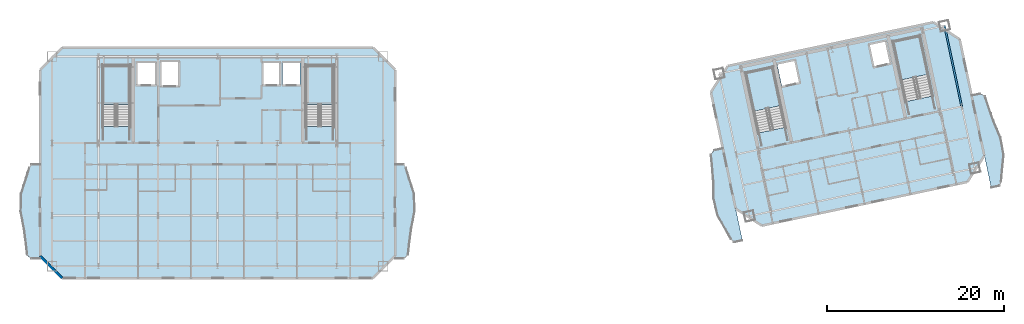
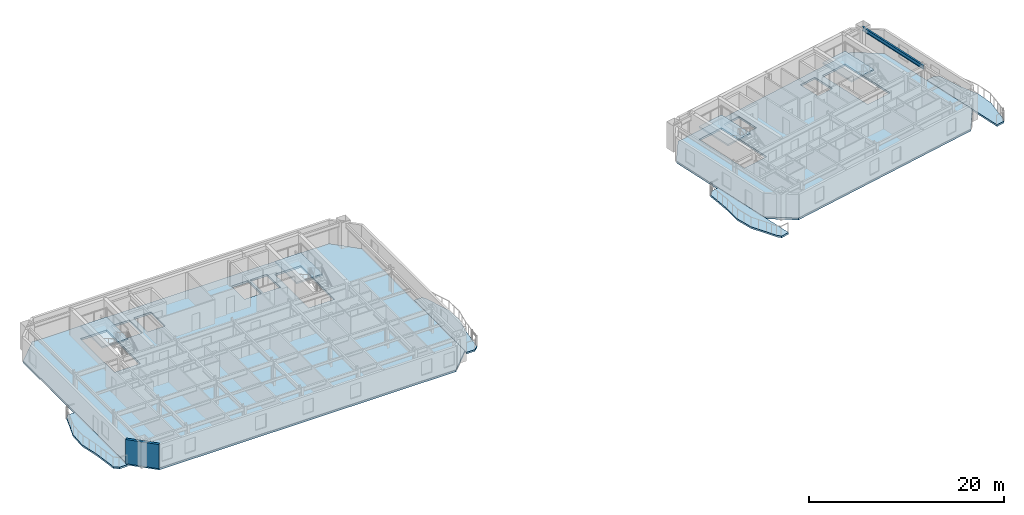
# One storey, part 4 of 13: 10 slabs, 1 beam, 1 wall, 4 elements without a shape of their own.
"""IFC4 building model written with IfcOpenShell, lengths in metres."""

from ifc_helpers import new_model, si_unit, direction, frame, frame_2d, origin, origin_2d, place, context, subcontext, project, spatial, polyline, rectangle, i_section, outline, extrude, material, layer, layer_set, material_profile, profile_set, type_object, element, aggregate, save


model = new_model("IFC4")

# Units and contexts
model_context = context("Model", 3, precision=1e-05, world=origin(), true_north=direction((0.0, 1.0)))
body_context = subcontext(model_context, "Body", "Model", "MODEL_VIEW")
ifc_project = project(units=[si_unit("LENGTHUNIT", "METRE"), si_unit("AREAUNIT", "SQUARE_METRE"), si_unit("VOLUMEUNIT", "CUBIC_METRE"), si_unit("PLANEANGLEUNIT", "RADIAN"), si_unit("MASSUNIT", "GRAM", prefix="KILO")], contexts=[model_context])

# Site, building, storey
site_placement = place(None, origin())
site = spatial("IfcSite", under=ifc_project, at=site_placement, CompositionType="ELEMENT")
building_placement = place(site_placement, origin())
building = spatial("IfcBuilding", under=site, at=building_placement, Name="Haevon Station Towers", CompositionType="ELEMENT")
storey_placement = place(building_placement, frame((0.0, 0.0, 222.0)))
storey = spatial("IfcBuildingStorey", under=building, at=storey_placement, Name="L61", CompositionType="ELEMENT", Elevation=222.0)

# Beam
ifc_material_1 = material(Name="Steel S355", Category="steel")
ifc_material_profile = material_profile(ifc_material_1, i_section(OverallWidth=0.199951171875, OverallDepth=0.5, WebThickness=0.010009765625, FlangeThickness=0.01611328125, at=origin_2d()), Name="H-500x200x10x16")
ifc_profile_set = profile_set([ifc_material_profile], Name="Steel S355")
beam_type = type_object("IfcBeamType", Name="BM-SP500", PredefinedType="SPANDREL", material=ifc_profile_set)
beam_placement = place(storey_placement, frame((121.787841796875, 42.338623046875, 2.800048828125), z_axis=(-0.207922149488, 0.978145377616, 0.0), x_axis=(-0.978145377616, -0.207922149488, 0.0)))
element("IfcBeam", 1, at=beam_placement, inside=storey, type_object=beam_type, Name="BM-T2V-L61-05-02", PredefinedType="SPANDREL", context=body_context, shape_type="SweptSolid", body=[
    extrude(i_section(OverallWidth=0.199951171875, OverallDepth=0.5, WebThickness=0.010009765625, FlangeThickness=0.01611328125, at=origin_2d()), origin(), (0.0, 0.0, 1.0), 9.35009765625),
])

# Slabs
ifc_material_2 = material(Name="Concrete C40/50", Category="concrete")
ifc_layer_1 = layer(ifc_material_2, 0.219970703125)
ifc_layer_set_1 = layer_set([ifc_layer_1], Name="Concrete C40/50")
slab_type_1 = type_object("IfcSlabType", Name="SL-BALC220", PredefinedType="FLOOR", material=ifc_layer_set_1)
slab_1_placement = place(storey_placement, frame((0.0, 0.0, -0.219970703125)))
element("IfcSlab", 2, at=slab_1_placement, inside=storey, type_object=slab_type_1, Name="Tower 1 L61 West SCALLOPED BALCONY", PredefinedType="FLOOR", context=body_context, shape_type="SweptSolid", body=[
    extrude(outline(polyline([(17.39501953125, 35.85009765625), (16.437744140625, 35.85009765625), (16.162109375, 35.43896484375), (15.80078125, 34.268310546875), (15.21630859375, 32.5166015625), (15.115478515625, 30.449951171875), (15.559326171875, 28.383544921875), (15.80078125, 26.631591796875), (15.931640625, 25.4609375), (16.437744140625, 25.050048828125), (17.39501953125, 25.050048828125), (17.39501953125, 35.85009765625)])), origin(), (0.0, 0.0, 1.0), 0.219970703125),
])
slab_2_placement = place(storey_placement, frame((0.0, 0.0, -0.219970703125)))
element("IfcSlab", 3, at=slab_2_placement, inside=storey, type_object=slab_type_1, Name="Tower 1 L61 East SCALLOPED BALCONY", PredefinedType="FLOOR", context=body_context, shape_type="SweptSolid", body=[
    extrude(outline(polyline([(57.60498046875, 25.050048828125), (58.562255859375, 25.050048828125), (59.068359375, 25.4609375), (59.19921875, 26.631591796875), (59.440673828125, 28.383544921875), (59.884521484375, 30.449951171875), (59.78369140625, 32.5166015625), (59.19921875, 34.268310546875), (58.837890625, 35.43896484375), (58.562255859375, 35.85009765625), (57.60498046875, 35.85009765625), (57.60498046875, 25.050048828125)])), origin(), (0.0, 0.0, 1.0), 0.219970703125),
])
slab_3_placement = place(storey_placement, frame((0.0, 0.0, -0.219970703125)))
element("IfcSlab", 4, at=slab_3_placement, inside=storey, type_object=slab_type_1, Name="Tower 2 L61 West SCALLOPED BALCONY", PredefinedType="FLOOR", context=body_context, shape_type="SweptSolid", body=[
    extrude(outline(polyline([(94.71337890625, 37.662353515625), (93.77685546875, 37.46337890625), (93.367431640625, 36.9560546875), (93.482666015625, 35.783935546875), (93.61083984375, 34.02001953125), (93.6064453125, 31.906494140625), (94.134521484375, 29.90625), (95.070556640625, 28.31396484375), (95.667236328125, 27.244140625), (96.0224609375, 26.8994140625), (96.958740234375, 27.098388671875), (94.71337890625, 37.662353515625)])), origin(), (0.0, 0.0, 1.0), 0.219970703125),
])
slab_4_placement = place(storey_placement, frame((0.0, 0.0, -0.219970703125)))
element("IfcSlab", 5, at=slab_4_placement, inside=storey, type_object=slab_type_1, Name="Tower 2 L61 East SCALLOPED BALCONY", PredefinedType="FLOOR", context=body_context, shape_type="SweptSolid", body=[
    extrude(outline(polyline([(125.13916015625, 33.08837890625), (126.07568359375, 33.287353515625), (126.259765625, 33.746826171875), (126.369873046875, 34.967041015625), (126.577392578125, 36.802001953125), (126.24609375, 38.84423828125), (125.382568359375, 40.7734375), (124.781982421875, 42.436767578125), (124.41064453125, 43.554443359375), (123.830322265625, 43.8515625), (122.893798828125, 43.65234375), (125.13916015625, 33.08837890625)])), origin(), (0.0, 0.0, 1.0), 0.219970703125),
])

# Stair, slab
stair_type = type_object("IfcStairType", Name="STR-DL1450", PredefinedType="USERDEFINED", material=ifc_material_2)
stair_1_placement = place(storey_placement, origin())
stair_1 = element("IfcStair", 6, at=stair_1_placement, inside=storey, type_object=stair_type, Name="L61 Escape Stair ST1", ObjectType="TWO_RETURN_STAIR", PredefinedType="USERDEFINED")
ifc_layer_2 = layer(ifc_material_2, 0.199951171875)
ifc_layer_set_2 = layer_set([ifc_layer_2], Name="Concrete C40/50")
slab_type_2 = type_object("IfcSlabType", Name="SL-LND200", PredefinedType="LANDING", material=ifc_layer_set_2)
slab_5_placement = place(storey_placement, frame((0.0, 0.0, 1.449951171875)))
slab_5 = element("IfcSlab", 7, at=slab_5_placement, type_object=slab_type_2, Name="L61 ST1 Half Landing 1", PredefinedType="LANDING", context=body_context, shape_type="SweptSolid", body=[
    extrude(outline(polyline([(27.580078125, 42.56396484375), (27.580078125, 47.0), (24.47998046875, 47.0), (24.47998046875, 42.56396484375), (27.580078125, 42.56396484375)])), origin(), (0.0, 0.0, 1.0), 0.199951171875),
])
aggregate(stair_1, [slab_5])

stair_2_placement = place(storey_placement, origin())
stair_2 = element("IfcStair", 8, at=stair_2_placement, inside=storey, type_object=stair_type, Name="L61 Escape Stair ST2", ObjectType="TWO_RETURN_STAIR", PredefinedType="USERDEFINED")
slab_6_placement = place(storey_placement, frame((0.0, 0.0, 1.449951171875)))
slab_6 = element("IfcSlab", 9, at=slab_6_placement, type_object=slab_type_2, Name="L61 ST2 Half Landing 1", PredefinedType="LANDING", context=body_context, shape_type="SweptSolid", body=[
    extrude(outline(polyline([(50.6201171875, 42.56396484375), (50.6201171875, 47.0), (47.52001953125, 47.0), (47.52001953125, 42.56396484375), (50.6201171875, 42.56396484375)])), origin(), (0.0, 0.0, 1.0), 0.199951171875),
])
aggregate(stair_2, [slab_6])

stair_3_placement = place(storey_placement, origin())
stair_3 = element("IfcStair", 10, at=stair_3_placement, inside=storey, type_object=stair_type, Name="L61 Escape Stair ST3", ObjectType="TWO_RETURN_STAIR", PredefinedType="USERDEFINED")
slab_7_placement = place(storey_placement, frame((0.0, 0.0, 1.449951171875)))
slab_7 = element("IfcSlab", 11, at=slab_7_placement, type_object=slab_type_2, Name="L61 ST3 Half Landing 1", PredefinedType="LANDING", context=body_context, shape_type="SweptSolid", body=[
    extrude(outline(polyline([(101.2880859375, 42.44287109375), (100.36572265625, 46.781982421875), (97.33349609375, 46.137451171875), (98.255859375, 41.79833984375), (101.2880859375, 42.44287109375)])), origin(), (0.0, 0.0, 1.0), 0.199951171875),
])
aggregate(stair_3, [slab_7])

stair_4_placement = place(storey_placement, origin())
stair_4 = element("IfcStair", 12, at=stair_4_placement, inside=storey, type_object=stair_type, Name="L61 Escape Stair ST4", ObjectType="TWO_RETURN_STAIR", PredefinedType="USERDEFINED")
slab_8_placement = place(storey_placement, frame((0.0, 0.0, 1.449951171875)))
slab_8 = element("IfcSlab", 13, at=slab_8_placement, type_object=slab_type_2, Name="L61 ST4 Half Landing 1", PredefinedType="LANDING", context=body_context, shape_type="SweptSolid", body=[
    extrude(outline(polyline([(117.975341796875, 45.989990234375), (117.052978515625, 50.328857421875), (114.020751953125, 49.684326171875), (114.943115234375, 45.345458984375), (117.975341796875, 45.989990234375)])), origin(), (0.0, 0.0, 1.0), 0.199951171875),
])
aggregate(stair_4, [slab_8])

# Slabs
ifc_layer_3 = layer(ifc_material_2, 0.25)
ifc_layer_set_3 = layer_set([ifc_layer_3], Name="Concrete C40/50")
slab_type_3 = type_object("IfcSlabType", Name="SL-TW250", PredefinedType="FLOOR", material=ifc_layer_set_3)
slab_9_placement = place(storey_placement, frame((0.0, 0.0, -0.25)))
element("IfcSlab", 14, at=slab_9_placement, inside=storey, type_object=slab_type_3, Name="SL-T1-L61", PredefinedType="FLOOR", context=body_context, shape_type="SweptSolid", body=[
    extrude(outline(polyline([(19.89990234375, 22.89990234375), (55.10009765625, 22.89990234375), (57.60009765625, 25.39990234375), (57.60009765625, 46.5), (55.10009765625, 49.0), (19.89990234375, 49.0), (17.39990234375, 46.5), (17.39990234375, 25.39990234375), (19.89990234375, 22.89990234375)]), holes=[polyline([(27.580078125, 40.055908203125), (27.580078125, 47.0), (24.47998046875, 47.0), (24.47998046875, 40.055908203125), (27.580078125, 40.055908203125)]), polyline([(50.6201171875, 40.055908203125), (50.6201171875, 47.0), (47.52001953125, 47.0), (47.52001953125, 40.055908203125), (50.6201171875, 40.055908203125)]), polyline([(28.300048828125, 44.699951171875), (30.5, 44.699951171875), (30.5, 47.39990234375), (28.300048828125, 47.39990234375), (28.300048828125, 44.699951171875)]), polyline([(31.050048828125, 44.60009765625), (33.14990234375, 44.60009765625), (33.14990234375, 47.5), (31.050048828125, 47.5), (31.050048828125, 44.60009765625)]), polyline([(42.60009765625, 44.699951171875), (44.60009765625, 44.699951171875), (44.60009765625, 47.39990234375), (42.60009765625, 47.39990234375), (42.60009765625, 44.699951171875)]), polyline([(44.85009765625, 44.699951171875), (46.85009765625, 44.699951171875), (46.85009765625, 47.39990234375), (44.85009765625, 47.39990234375), (44.85009765625, 44.699951171875)])]), origin(), (0.0, 0.0, 1.0), 0.25),
])
slab_10_placement = place(storey_placement, frame((0.0, 0.0, -0.25)))
element("IfcSlab", 15, at=slab_10_placement, inside=storey, type_object=slab_type_3, Name="SL-T2-L61", PredefinedType="FLOOR", context=body_context, shape_type="SweptSolid", body=[
    extrude(outline(polyline([(99.148193359375, 28.846923828125), (122.427978515625, 33.795166015625), (124.353515625, 36.76025390625), (121.548828125, 49.95556640625), (118.583740234375, 51.881103515625), (95.3037109375, 46.932861328125), (93.378173828125, 43.9677734375), (96.182861328125, 30.7724609375), (99.148193359375, 28.846923828125)]), holes=[polyline([(101.8095703125, 39.98974609375), (100.36572265625, 46.781982421875), (97.33349609375, 46.137451171875), (98.77734375, 39.34521484375), (101.8095703125, 39.98974609375)]), polyline([(118.496826171875, 43.53662109375), (117.052978515625, 50.328857421875), (114.020751953125, 49.684326171875), (115.464599609375, 42.89208984375), (118.496826171875, 43.53662109375)]), polyline([(101.43212890625, 44.554931640625), (103.486328125, 44.99169921875), (102.9248046875, 47.632568359375), (100.870849609375, 47.196044921875), (101.43212890625, 44.554931640625)]), polyline([(111.800537109375, 46.7587890625), (113.7568359375, 47.174560546875), (113.1953125, 49.815673828125), (111.239013671875, 49.39990234375), (111.800537109375, 46.7587890625)])]), origin(), (0.0, 0.0, 1.0), 0.25),
])

# Wall
ifc_material_3 = material(Name="Precast concrete C45/55", Category="concrete")
ifc_layer_4 = layer(ifc_material_3, 0.280029296875)
ifc_layer_set_4 = layer_set([ifc_layer_4], Name="Precast concrete C45/55")
wall_type = type_object("IfcWallType", Name="WL-EXT-PIER280", PredefinedType="SOLIDWALL", material=ifc_layer_set_4)
wall_placement = place(storey_placement, frame((19.89990234375, 22.89990234375, 0.0), z_axis=(0.0, 0.0, 1.0), x_axis=(-0.707106781187, 0.707106781187, 0.0)))
element("IfcWall", 16, at=wall_placement, inside=storey, type_object=wall_type, Name="WL-T1-L61-SWC", PredefinedType="SOLIDWALL", context=body_context, shape_type="SweptSolid", body=[
    extrude(rectangle(XDim=3.53564453125, YDim=0.280029296875, at=frame_2d((1.767822265625, 0.0))), origin(), (0.0, 0.0, 1.0), 3.030029296875),
])

save(model, "model.ifc")
